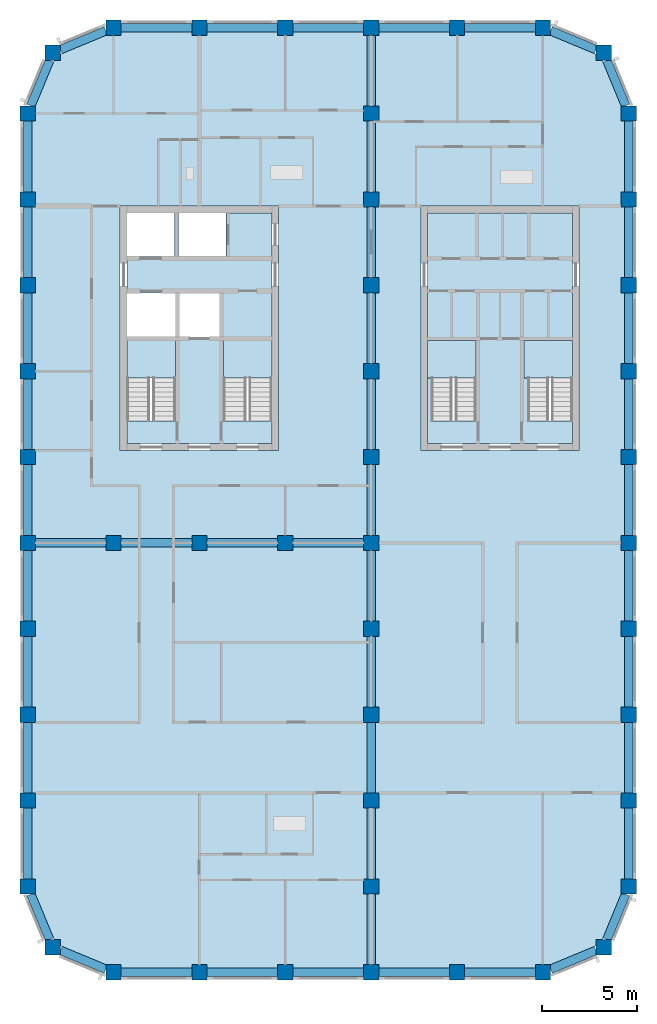
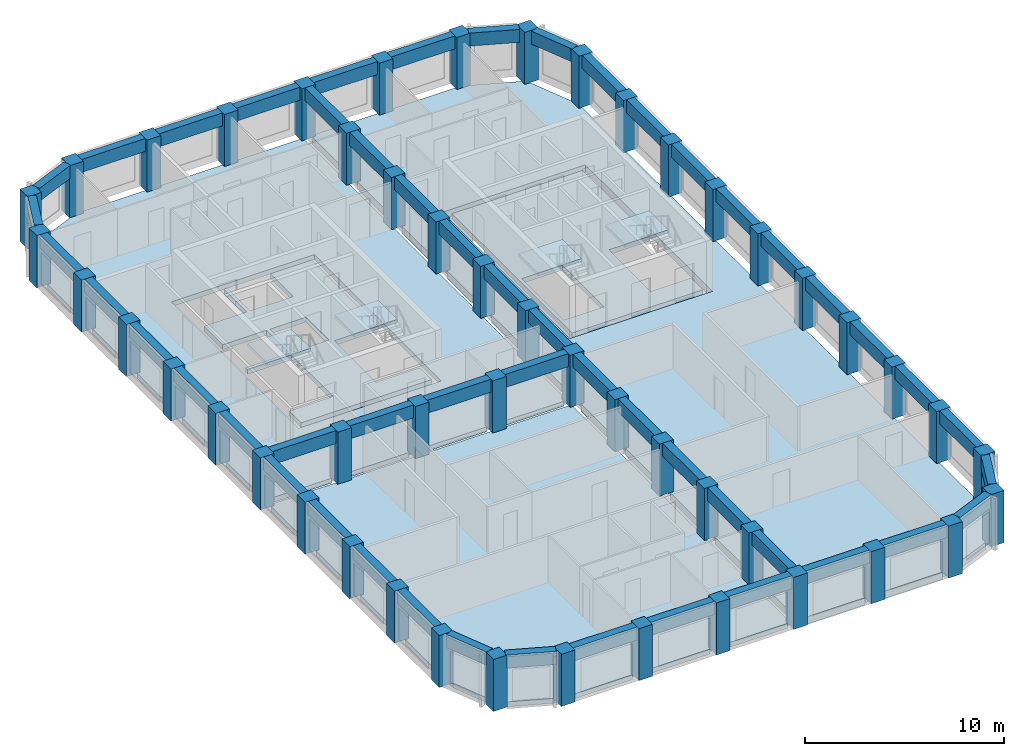
# One storey, part 1 of 10: 51 beams, 49 columns, 9 slabs, 4 elements without a shape of their own.
"""IFC4 building model written with IfcOpenShell, lengths in metres."""

from ifc_helpers import new_model, si_unit, direction, frame, origin, origin_2d, place, context, subcontext, project, spatial, polyline, rectangle, outline, extrude, material, layer, layer_set, material_profile, profile_set, type_object, element, aggregate, save


model = new_model("IFC4")

# Units and contexts
model_context = context("Model", 3, precision=1e-05, world=origin(), true_north=direction((0.0, 1.0)))
body_context = subcontext(model_context, "Body", "Model", "MODEL_VIEW")
ifc_project = project(units=[si_unit("LENGTHUNIT", "METRE"), si_unit("AREAUNIT", "SQUARE_METRE"), si_unit("VOLUMEUNIT", "CUBIC_METRE"), si_unit("PLANEANGLEUNIT", "RADIAN"), si_unit("MASSUNIT", "GRAM", prefix="KILO")], contexts=[model_context])

# Site, building, storey
site_placement = place(None, origin())
site = spatial("IfcSite", under=ifc_project, at=site_placement, CompositionType="ELEMENT")
building_placement = place(site_placement, origin())
building = spatial("IfcBuilding", under=site, at=building_placement, Name="Girih Gate Residences", CompositionType="ELEMENT")
storey_placement = place(building_placement, frame((0.0, 0.0, 210.094970703125)))
storey = spatial("IfcBuildingStorey", under=building, at=storey_placement, Name="L58", CompositionType="ELEMENT", Elevation=210.094970703125)

# Columns
ifc_material_1 = material(Name="Concrete C60/75", Category="concrete")
ifc_material_profile_1 = material_profile(ifc_material_1, rectangle(XDim=0.800048828125, YDim=0.800048828125, at=origin_2d()))
ifc_profile_set_1 = profile_set([ifc_material_profile_1], Name="Concrete C60/75")
column_type = type_object("IfcColumnType", Name="Pier RC 800x800 Concrete C60/75", PredefinedType="COLUMN", material=ifc_profile_set_1)
for number, where, z_axis, x_axis, name in (
    (1, (4.5, 0.0, 0.0), (0.0, 0.0, 1.0), (1.0, 0.0, 0.0), "Pier P2A L58"),
    (2, (9.0, 0.0, 0.0), (0.0, 0.0, 1.0), (1.0, 0.0, 0.0), "Pier P3A L58"),
    (3, (13.5, 0.0, 0.0), (0.0, 0.0, 1.0), (1.0, 0.0, 0.0), "Pier P4A L58"),
    (4, (18.0, 0.0, 0.0), (0.0, 0.0, 1.0), (1.0, 0.0, 0.0), "Pier P5A L58"),
    (5, (22.5, 0.0, 0.0), (0.0, 0.0, 1.0), (1.0, 0.0, 0.0), "Pier P6A L58"),
    (6, (27.0, 0.0, 0.0), (0.0, 0.0, 1.0), (1.0, 0.0, 0.0), "Pier P7A L58"),
    (7, (1.318115234375, 1.318115234375, 0.0), (0.0, 0.0, 1.0), (1.0, 0.0, 0.0), "Pier P1ANE L58"),
    (8, (30.181884765625, 1.318115234375, 0.0), (0.0, 0.0, 1.0), (1.0, 0.0, 0.0), "Pier P8ANW L58"),
    (9, (0.0, 4.5, 0.0), (0.0, 0.0, 1.0), (1.0, 0.0, 0.0), "Pier P1B L58"),
    (10, (18.0, 4.5, 0.0), (0.0, 0.0, 1.0), (1.0, 0.0, 0.0), "Pier P5B L58"),
    (11, (31.5, 4.5, 0.0), (0.0, 0.0, 1.0), (1.0, 0.0, 0.0), "Pier P8B L58"),
    (12, (0.0, 9.0, 0.0), (0.0, 0.0, 1.0), (1.0, 0.0, 0.0), "Pier P1C L58"),
    (13, (18.0, 9.0, 0.0), (0.0, 0.0, 1.0), (1.0, 0.0, 0.0), "Pier P5C L58"),
    (14, (31.5, 9.0, 0.0), (0.0, 0.0, 1.0), (1.0, 0.0, 0.0), "Pier P8C L58"),
    (15, (0.0, 13.5, 0.0), (0.0, 0.0, 1.0), (1.0, 0.0, 0.0), "Pier P1D L58"),
    (16, (18.0, 13.5, 0.0), (0.0, 0.0, 1.0), (1.0, 0.0, 0.0), "Pier P5D L58"),
    (17, (31.5, 13.5, 0.0), (0.0, 0.0, 1.0), (1.0, 0.0, 0.0), "Pier P8D L58"),
    (18, (0.0, 18.0, 0.0), (0.0, 0.0, 1.0), (1.0, 0.0, 0.0), "Pier P1E L58"),
    (19, (18.0, 18.0, 0.0), (0.0, 0.0, 1.0), (1.0, 0.0, 0.0), "Pier P5E L58"),
    (20, (31.5, 18.0, 0.0), (0.0, 0.0, 1.0), (1.0, 0.0, 0.0), "Pier P8E L58"),
    (21, (0.0, 22.5, 0.0), (0.0, 0.0, 1.0), (1.0, 0.0, 0.0), "Pier P1F L58"),
    (22, (4.5, 22.5, 0.0), (0.0, 0.0, 1.0), (1.0, 0.0, 0.0), "Pier P2F L58"),
    (23, (9.0, 22.5, 0.0), (0.0, 0.0, 1.0), (1.0, 0.0, 0.0), "Pier P3F L58"),
    (24, (13.5, 22.5, 0.0), (0.0, 0.0, 1.0), (1.0, 0.0, 0.0), "Pier P4F L58"),
    (25, (18.0, 22.5, 0.0), (0.0, 0.0, 1.0), (1.0, 0.0, 0.0), "Pier P5F L58"),
    (26, (31.5, 22.5, 0.0), (0.0, 0.0, 1.0), (1.0, 0.0, 0.0), "Pier P8F L58"),
    (27, (0.0, 27.0, 0.0), (0.0, 0.0, 1.0), (1.0, 0.0, 0.0), "Pier P1G L58"),
    (28, (18.0, 27.0, 0.0), (0.0, 0.0, 1.0), (1.0, 0.0, 0.0), "Pier P5G L58"),
    (29, (31.5, 27.0, 0.0), (0.0, 0.0, 1.0), (1.0, 0.0, 0.0), "Pier P8G L58"),
    (30, (0.0, 31.5, 0.0), (0.0, 0.0, 1.0), (1.0, 0.0, 0.0), "Pier P1H L58"),
    (31, (18.0, 31.5, 0.0), (0.0, 0.0, 1.0), (1.0, 0.0, 0.0), "Pier P5H L58"),
    (32, (31.5, 31.5, 0.0), (0.0, 0.0, 1.0), (1.0, 0.0, 0.0), "Pier P8H L58"),
    (33, (0.0, 36.0, 0.0), (0.0, 0.0, 1.0), (1.0, 0.0, 0.0), "Pier P1I L58"),
    (34, (18.0, 36.0, 0.0), (0.0, 0.0, 1.0), (1.0, 0.0, 0.0), "Pier P5I L58"),
    (35, (31.5, 36.0, 0.0), (0.0, 0.0, 1.0), (1.0, 0.0, 0.0), "Pier P8I L58"),
    (36, (0.0, 40.5, 0.0), (0.0, 0.0, 1.0), (1.0, 0.0, 0.0), "Pier P1J L58"),
    (37, (18.0, 40.5, 0.0), (0.0, 0.0, 1.0), (1.0, 0.0, 0.0), "Pier P5J L58"),
    (38, (31.5, 40.5, 0.0), (0.0, 0.0, 1.0), (1.0, 0.0, 0.0), "Pier P8J L58"),
    (39, (0.0, 45.0, 0.0), (0.0, 0.0, 1.0), (1.0, 0.0, 0.0), "Pier P1K L58"),
    (40, (18.0, 45.0, 0.0), (0.0, 0.0, 1.0), (1.0, 0.0, 0.0), "Pier P5K L58"),
    (41, (31.5, 45.0, 0.0), (0.0, 0.0, 1.0), (1.0, 0.0, 0.0), "Pier P8K L58"),
    (42, (1.318115234375, 48.181884765625, 0.0), (0.0, 0.0, 1.0), (1.0, 0.0, 0.0), "Pier P1LSE L58"),
    (43, (30.181884765625, 48.181884765625, 0.0), (0.0, 0.0, 1.0), (1.0, 0.0, 0.0), "Pier P8LSW L58"),
    (44, (4.5, 49.5, 0.0), (0.0, 0.0, 1.0), (1.0, 0.0, 0.0), "Pier P2L L58"),
    (45, (9.0, 49.5, 0.0), (0.0, 0.0, 1.0), (1.0, 0.0, 0.0), "Pier P3L L58"),
    (46, (13.5, 49.5, 0.0), (0.0, 0.0, 1.0), (1.0, 0.0, 0.0), "Pier P4L L58"),
    (47, (18.0, 49.5, 0.0), (0.0, 0.0, 1.0), (1.0, 0.0, 0.0), "Pier P5L L58"),
    (48, (22.5, 49.5, 0.0), (0.0, 0.0, 1.0), (1.0, 0.0, 0.0), "Pier P6L L58"),
    (49, (27.0, 49.5, 0.0), (0.0, 0.0, 1.0), (1.0, 0.0, 0.0), "Pier P7L L58"),
):
    element("IfcColumn", number, at=place(storey_placement, frame(where, z_axis=z_axis, x_axis=x_axis)), inside=storey, type_object=column_type, Name=name, PredefinedType="COLUMN", context=body_context, shape_type="SweptSolid", body=[
        extrude(rectangle(XDim=0.800048828125, YDim=0.800048828125, at=origin_2d()), origin(), (0.0, 0.0, 1.0), 3.199951171875),
    ])

# Beams
ifc_material_profile_2 = material_profile(ifc_material_1, rectangle(XDim=0.449951171875, YDim=0.800048828125, at=origin_2d()))
ifc_profile_set_2 = profile_set([ifc_material_profile_2], Name="Concrete C60/75")
beam_type = type_object("IfcBeamType", Name="Spandrel girder RC 450x800 Concrete C60/75", PredefinedType="BEAM", material=ifc_profile_set_2)
for number, where, z_axis, x_axis, name in (
    (50, (27.39990234375, 0.165771484375, 2.800048828125), (0.923895659062, 0.382644497107, 0.0), (-0.382644497107, 0.923895659062, 0.0), "Spandrel girder SP-P7A-P8ANW L58"),
    (51, (30.34765625, 1.718017578125, 2.800048828125), (0.382644497107, 0.923895659062, 0.0), (-0.923895659062, 0.382644497107, 0.0), "Spandrel girder SP-P8ANW-P8B L58"),
):
    element("IfcBeam", number, at=place(storey_placement, frame(where, z_axis=z_axis, x_axis=x_axis)), inside=storey, type_object=beam_type, Name=name, PredefinedType="BEAM", context=body_context, shape_type="SweptSolid", body=[
        extrude(rectangle(XDim=0.449951171875, YDim=0.800048828125, at=origin_2d()), origin(), (0.0, 0.0, 1.0), 2.578369140625),
    ])
for number, where, z_axis, x_axis, name in (
    (52, (31.5, 4.89990234375, 2.800048828125), (0.0, 1.0, 0.0), (-1.0, 0.0, 0.0), "Spandrel girder SP-P8B-P8C L58"),
    (53, (31.5, 9.39990234375, 2.800048828125), (0.0, 1.0, 0.0), (-1.0, 0.0, 0.0), "Spandrel girder SP-P8C-P8D L58"),
    (54, (31.5, 13.89990234375, 2.800048828125), (0.0, 1.0, 0.0), (-1.0, 0.0, 0.0), "Spandrel girder SP-P8D-P8E L58"),
    (55, (31.5, 18.39990234375, 2.800048828125), (0.0, 1.0, 0.0), (-1.0, 0.0, 0.0), "Spandrel girder SP-P8E-P8F L58"),
    (56, (31.5, 22.89990234375, 2.800048828125), (0.0, 1.0, 0.0), (-1.0, 0.0, 0.0), "Spandrel girder SP-P8F-P8G L58"),
    (57, (31.5, 27.39990234375, 2.800048828125), (0.0, 1.0, 0.0), (-1.0, 0.0, 0.0), "Spandrel girder SP-P8G-P8H L58"),
    (58, (31.5, 31.89990234375, 2.800048828125), (0.0, 1.0, 0.0), (-1.0, 0.0, 0.0), "Spandrel girder SP-P8H-P8I L58"),
    (59, (31.5, 36.39990234375, 2.800048828125), (0.0, 1.0, 0.0), (-1.0, 0.0, 0.0), "Spandrel girder SP-P8I-P8J L58"),
    (60, (31.5, 40.89990234375, 2.800048828125), (0.0, 1.0, 0.0), (-1.0, 0.0, 0.0), "Spandrel girder SP-P8J-P8K L58"),
):
    element("IfcBeam", number, at=place(storey_placement, frame(where, z_axis=z_axis, x_axis=x_axis)), inside=storey, type_object=beam_type, Name=name, PredefinedType="BEAM", context=body_context, shape_type="SweptSolid", body=[
        extrude(rectangle(XDim=0.449951171875, YDim=0.800048828125, at=origin_2d()), origin(), (0.0, 0.0, 1.0), 3.7001953125),
    ])
for number, where, z_axis, x_axis, name in (
    (61, (31.334228515625, 45.39990234375, 2.800048828125), (-0.382644497107, 0.923895659062, 0.0), (-0.923895659062, -0.382644497107, 0.0), "Spandrel girder SP-P8K-P8LSW L58"),
    (62, (29.781982421875, 48.34765625, 2.800048828125), (-0.923895659062, 0.382644497107, 0.0), (-0.382644497107, -0.923895659062, 0.0), "Spandrel girder SP-P8LSW-P7L L58"),
):
    element("IfcBeam", number, at=place(storey_placement, frame(where, z_axis=z_axis, x_axis=x_axis)), inside=storey, type_object=beam_type, Name=name, PredefinedType="BEAM", context=body_context, shape_type="SweptSolid", body=[
        extrude(rectangle(XDim=0.449951171875, YDim=0.800048828125, at=origin_2d()), origin(), (0.0, 0.0, 1.0), 2.578369140625),
    ])
for number, where, z_axis, x_axis, name in (
    (63, (26.60009765625, 49.5, 2.800048828125), (-1.0, 0.0, 0.0), (0.0, -1.0, 0.0), "Spandrel girder SP-P7L-P6L L58"),
    (64, (22.10009765625, 49.5, 2.800048828125), (-1.0, 0.0, 0.0), (0.0, -1.0, 0.0), "Spandrel girder SP-P6L-P5L L58"),
    (65, (17.60009765625, 49.5, 2.800048828125), (-1.0, 0.0, 0.0), (0.0, -1.0, 0.0), "Spandrel girder SP-P5L-P4L L58"),
    (66, (13.10009765625, 49.5, 2.800048828125), (-1.0, 0.0, 0.0), (0.0, -1.0, 0.0), "Spandrel girder SP-P4L-P3L L58"),
    (67, (8.60009765625, 49.5, 2.800048828125), (-1.0, 0.0, 0.0), (0.0, -1.0, 0.0), "Spandrel girder SP-P3L-P2L L58"),
):
    element("IfcBeam", number, at=place(storey_placement, frame(where, z_axis=z_axis, x_axis=x_axis)), inside=storey, type_object=beam_type, Name=name, PredefinedType="BEAM", context=body_context, shape_type="SweptSolid", body=[
        extrude(rectangle(XDim=0.449951171875, YDim=0.800048828125, at=origin_2d()), origin(), (0.0, 0.0, 1.0), 3.7001953125),
    ])
for number, where, z_axis, x_axis, name in (
    (68, (4.10009765625, 49.334228515625, 2.800048828125), (-0.923895659062, -0.382644497107, 0.0), (0.382644497107, -0.923895659062, 0.0), "Spandrel girder SP-P2L-P1LSE L58"),
    (69, (1.15234375, 47.781982421875, 2.800048828125), (-0.382644497107, -0.923895659062, 0.0), (0.923895659062, -0.382644497107, 0.0), "Spandrel girder SP-P1LSE-P1K L58"),
):
    element("IfcBeam", number, at=place(storey_placement, frame(where, z_axis=z_axis, x_axis=x_axis)), inside=storey, type_object=beam_type, Name=name, PredefinedType="BEAM", context=body_context, shape_type="SweptSolid", body=[
        extrude(rectangle(XDim=0.449951171875, YDim=0.800048828125, at=origin_2d()), origin(), (0.0, 0.0, 1.0), 2.578369140625),
    ])
for number, where, z_axis, x_axis, name in (
    (70, (0.0, 44.60009765625, 2.800048828125), (0.0, -1.0, 0.0), (1.0, 0.0, 0.0), "Spandrel girder SP-P1K-P1J L58"),
    (71, (0.0, 40.10009765625, 2.800048828125), (0.0, -1.0, 0.0), (1.0, 0.0, 0.0), "Spandrel girder SP-P1J-P1I L58"),
    (72, (0.0, 35.60009765625, 2.800048828125), (0.0, -1.0, 0.0), (1.0, 0.0, 0.0), "Spandrel girder SP-P1I-P1H L58"),
    (73, (0.0, 31.10009765625, 2.800048828125), (0.0, -1.0, 0.0), (1.0, 0.0, 0.0), "Spandrel girder SP-P1H-P1G L58"),
    (74, (0.0, 26.60009765625, 2.800048828125), (0.0, -1.0, 0.0), (1.0, 0.0, 0.0), "Spandrel girder SP-P1G-P1F L58"),
    (75, (0.0, 22.10009765625, 2.800048828125), (0.0, -1.0, 0.0), (1.0, 0.0, 0.0), "Spandrel girder SP-P1F-P1E L58"),
    (76, (0.0, 17.60009765625, 2.800048828125), (0.0, -1.0, 0.0), (1.0, 0.0, 0.0), "Spandrel girder SP-P1E-P1D L58"),
    (77, (0.0, 13.10009765625, 2.800048828125), (0.0, -1.0, 0.0), (1.0, 0.0, 0.0), "Spandrel girder SP-P1D-P1C L58"),
    (78, (0.0, 8.60009765625, 2.800048828125), (0.0, -1.0, 0.0), (1.0, 0.0, 0.0), "Spandrel girder SP-P1C-P1B L58"),
):
    element("IfcBeam", number, at=place(storey_placement, frame(where, z_axis=z_axis, x_axis=x_axis)), inside=storey, type_object=beam_type, Name=name, PredefinedType="BEAM", context=body_context, shape_type="SweptSolid", body=[
        extrude(rectangle(XDim=0.449951171875, YDim=0.800048828125, at=origin_2d()), origin(), (0.0, 0.0, 1.0), 3.7001953125),
    ])
for number, where, z_axis, x_axis, name in (
    (79, (0.165771484375, 4.10009765625, 2.800048828125), (0.382644497107, -0.923895659062, 0.0), (0.923895659062, 0.382644497107, 0.0), "Spandrel girder SP-P1B-P1ANE L58"),
    (80, (1.718017578125, 1.15234375, 2.800048828125), (0.923895659062, -0.382644497107, 0.0), (0.382644497107, 0.923895659062, 0.0), "Spandrel girder SP-P1ANE-P2A L58"),
):
    element("IfcBeam", number, at=place(storey_placement, frame(where, z_axis=z_axis, x_axis=x_axis)), inside=storey, type_object=beam_type, Name=name, PredefinedType="BEAM", context=body_context, shape_type="SweptSolid", body=[
        extrude(rectangle(XDim=0.449951171875, YDim=0.800048828125, at=origin_2d()), origin(), (0.0, 0.0, 1.0), 2.578369140625),
    ])
for number, where, z_axis, x_axis, name in (
    (81, (4.89990234375, 0.0, 2.800048828125), (1.0, 0.0, 0.0), (0.0, 1.0, 0.0), "Spandrel girder SP-P2A-P3A L58"),
    (82, (9.39990234375, 0.0, 2.800048828125), (1.0, 0.0, 0.0), (0.0, 1.0, 0.0), "Spandrel girder SP-P3A-P4A L58"),
    (83, (13.89990234375, 0.0, 2.800048828125), (1.0, 0.0, 0.0), (0.0, 1.0, 0.0), "Spandrel girder SP-P4A-P5A L58"),
    (84, (18.39990234375, 0.0, 2.800048828125), (1.0, 0.0, 0.0), (0.0, 1.0, 0.0), "Spandrel girder SP-P5A-P6A L58"),
    (85, (22.89990234375, 0.0, 2.800048828125), (1.0, 0.0, 0.0), (0.0, 1.0, 0.0), "Spandrel girder SP-P6A-P7A L58"),
    (86, (18.0, 0.39990234375, 2.800048828125), (0.0, 1.0, 0.0), (-1.0, 0.0, 0.0), "Spandrel girder SP-P5A-P5B L58"),
    (87, (18.0, 4.89990234375, 2.800048828125), (0.0, 1.0, 0.0), (-1.0, 0.0, 0.0), "Spandrel girder SP-P5B-P5C L58"),
    (88, (18.0, 9.39990234375, 2.800048828125), (0.0, 1.0, 0.0), (-1.0, 0.0, 0.0), "Spandrel girder SP-P5C-P5D L58"),
    (89, (18.0, 13.89990234375, 2.800048828125), (0.0, 1.0, 0.0), (-1.0, 0.0, 0.0), "Spandrel girder SP-P5D-P5E L58"),
    (90, (18.0, 18.39990234375, 2.800048828125), (0.0, 1.0, 0.0), (-1.0, 0.0, 0.0), "Spandrel girder SP-P5E-P5F L58"),
    (91, (18.0, 22.89990234375, 2.800048828125), (0.0, 1.0, 0.0), (-1.0, 0.0, 0.0), "Spandrel girder SP-P5F-P5G L58"),
    (92, (18.0, 27.39990234375, 2.800048828125), (0.0, 1.0, 0.0), (-1.0, 0.0, 0.0), "Spandrel girder SP-P5G-P5H L58"),
    (93, (18.0, 31.89990234375, 2.800048828125), (0.0, 1.0, 0.0), (-1.0, 0.0, 0.0), "Spandrel girder SP-P5H-P5I L58"),
    (94, (18.0, 36.39990234375, 2.800048828125), (0.0, 1.0, 0.0), (-1.0, 0.0, 0.0), "Spandrel girder SP-P5I-P5J L58"),
    (95, (18.0, 40.89990234375, 2.800048828125), (0.0, 1.0, 0.0), (-1.0, 0.0, 0.0), "Spandrel girder SP-P5J-P5K L58"),
    (96, (18.0, 45.39990234375, 2.800048828125), (0.0, 1.0, 0.0), (-1.0, 0.0, 0.0), "Spandrel girder SP-P5K-P5L L58"),
    (97, (0.39990234375, 22.5, 2.800048828125), (1.0, 0.0, 0.0), (0.0, 1.0, 0.0), "Spandrel girder SP-P1F-P2F L58"),
    (98, (4.89990234375, 22.5, 2.800048828125), (1.0, 0.0, 0.0), (0.0, 1.0, 0.0), "Spandrel girder SP-P2F-P3F L58"),
    (99, (9.39990234375, 22.5, 2.800048828125), (1.0, 0.0, 0.0), (0.0, 1.0, 0.0), "Spandrel girder SP-P3F-P4F L58"),
    (100, (13.89990234375, 22.5, 2.800048828125), (1.0, 0.0, 0.0), (0.0, 1.0, 0.0), "Spandrel girder SP-P4F-P5F L58"),
):
    element("IfcBeam", number, at=place(storey_placement, frame(where, z_axis=z_axis, x_axis=x_axis)), inside=storey, type_object=beam_type, Name=name, PredefinedType="BEAM", context=body_context, shape_type="SweptSolid", body=[
        extrude(rectangle(XDim=0.449951171875, YDim=0.800048828125, at=origin_2d()), origin(), (0.0, 0.0, 1.0), 3.7001953125),
    ])

# Slabs
ifc_material_2 = material(Name="Concrete C40/50", Category="concrete")
ifc_layer_1 = layer(ifc_material_2, 0.300048828125)
ifc_layer_set_1 = layer_set([ifc_layer_1], Name="Core floor slab 300")
slab_type_1 = type_object("IfcSlabType", Name="Core floor slab 300", PredefinedType="FLOOR", material=ifc_layer_set_1)
slab_1_placement = place(storey_placement, frame((0.0, 0.0, -0.300048828125)))
element("IfcSlab", 101, at=slab_1_placement, inside=storey, type_object=slab_type_1, Name="L58 W core floor", PredefinedType="FLOOR", context=body_context, shape_type="SweptSolid", body=[
    extrude(outline(polyline([(12.800048828125, 27.699951171875), (5.199951171875, 27.699951171875), (5.199951171875, 28.900634765625), (7.75, 28.900634765625), (7.75, 33.10009765625), (5.199951171875, 33.10009765625), (5.199951171875, 33.300048828125), (7.75, 33.300048828125), (7.75, 35.60009765625), (5.199951171875, 35.60009765625), (5.199951171875, 37.5), (7.699951171875, 37.5), (7.699951171875, 39.800048828125), (7.89990234375, 39.800048828125), (7.89990234375, 37.5), (10.39990234375, 37.5), (10.39990234375, 39.800048828125), (12.800048828125, 39.800048828125), (12.800048828125, 33.10009765625), (10.25, 33.10009765625), (10.25, 28.900634765625), (12.800048828125, 28.900634765625), (12.800048828125, 27.699951171875)]), holes=[polyline([(7.949951171875, 33.300048828125), (10.050048828125, 33.300048828125), (10.050048828125, 35.60009765625), (7.949951171875, 35.60009765625), (7.949951171875, 33.300048828125)])]), origin(), (0.0, 0.0, 1.0), 0.300048828125),
])
slab_2_placement = place(storey_placement, frame((0.0, 0.0, -0.300048828125)))
element("IfcSlab", 102, at=slab_2_placement, inside=storey, type_object=slab_type_1, Name="L58 C core floor", PredefinedType="FLOOR", context=body_context, shape_type="SweptSolid", body=[
    extrude(outline(polyline([(28.550048828125, 27.699951171875), (20.949951171875, 27.699951171875), (20.949951171875, 39.800048828125), (28.550048828125, 39.800048828125), (28.550048828125, 33.10009765625), (26.199951171875, 33.10009765625), (26.199951171875, 28.900634765625), (28.550048828125, 28.900634765625), (28.550048828125, 27.699951171875)]), holes=[polyline([(23.5, 28.900634765625), (23.5, 33.10009765625), (21.14990234375, 33.10009765625), (21.14990234375, 28.900634765625), (23.5, 28.900634765625)])]), origin(), (0.0, 0.0, 1.0), 0.300048828125),
])
ifc_layer_2 = layer(ifc_material_2, 0.300048828125)
ifc_layer_set_2 = layer_set([ifc_layer_2], Name="Floor slab PT 300 Concrete C40/50")
slab_type_2 = type_object("IfcSlabType", Name="Floor slab PT 300 Concrete C40/50", PredefinedType="FLOOR", material=ifc_layer_set_2)
slab_3_placement = place(storey_placement, frame((0.0, 0.0, -0.300048828125)))
element("IfcSlab", 103, at=slab_3_placement, inside=storey, type_object=slab_type_2, Name="Floor slab L58 0", PredefinedType="FLOOR", context=body_context, shape_type="SweptSolid", body=[
    extrude(outline(polyline([(13.89990234375, 0.22509765625), (17.60009765625, 0.22509765625), (17.60009765625, 0.39990234375), (17.77490234375, 0.39990234375), (17.77490234375, 4.10009765625), (17.60009765625, 4.10009765625), (17.60009765625, 4.89990234375), (17.77490234375, 4.89990234375), (17.77490234375, 8.60009765625), (17.60009765625, 8.60009765625), (17.60009765625, 9.39990234375), (17.77490234375, 9.39990234375), (17.77490234375, 13.10009765625), (17.60009765625, 13.10009765625), (17.60009765625, 13.89990234375), (17.77490234375, 13.89990234375), (17.77490234375, 17.60009765625), (17.60009765625, 17.60009765625), (17.60009765625, 18.39990234375), (17.77490234375, 18.39990234375), (17.77490234375, 22.10009765625), (17.60009765625, 22.10009765625), (17.60009765625, 22.27490234375), (13.89990234375, 22.27490234375), (13.89990234375, 22.10009765625), (13.10009765625, 22.10009765625), (13.10009765625, 22.27490234375), (9.39990234375, 22.27490234375), (9.39990234375, 22.10009765625), (8.60009765625, 22.10009765625), (8.60009765625, 22.27490234375), (4.89990234375, 22.27490234375), (4.89990234375, 22.10009765625), (4.10009765625, 22.10009765625), (4.10009765625, 22.27490234375), (0.39990234375, 22.27490234375), (0.39990234375, 22.10009765625), (0.22509765625, 22.10009765625), (0.22509765625, 18.39990234375), (0.39990234375, 18.39990234375), (0.39990234375, 17.60009765625), (0.22509765625, 17.60009765625), (0.22509765625, 13.89990234375), (0.39990234375, 13.89990234375), (0.39990234375, 13.10009765625), (0.22509765625, 13.10009765625), (0.22509765625, 9.39990234375), (0.39990234375, 9.39990234375), (0.39990234375, 8.60009765625), (0.22509765625, 8.60009765625), (0.22509765625, 4.89990234375), (0.39990234375, 4.89990234375), (0.39990234375, 4.122314453125), (1.395751953125, 1.718017578125), (1.718017578125, 1.718017578125), (1.718017578125, 1.395751953125), (4.122314453125, 0.39990234375), (4.89990234375, 0.39990234375), (4.89990234375, 0.22509765625), (8.60009765625, 0.22509765625), (8.60009765625, 0.39990234375), (9.39990234375, 0.39990234375), (9.39990234375, 0.22509765625), (13.10009765625, 0.22509765625), (13.10009765625, 0.39990234375), (13.89990234375, 0.39990234375), (13.89990234375, 0.22509765625)])), origin(), (0.0, 0.0, 1.0), 0.300048828125),
])
slab_4_placement = place(storey_placement, frame((0.0, 0.0, -0.300048828125)))
element("IfcSlab", 104, at=slab_4_placement, inside=storey, type_object=slab_type_2, Name="Floor slab L58 2", PredefinedType="FLOOR", context=body_context, shape_type="SweptSolid", body=[
    extrude(outline(polyline([(0.22509765625, 26.60009765625), (0.22509765625, 22.89990234375), (0.39990234375, 22.89990234375), (0.39990234375, 22.72509765625), (4.10009765625, 22.72509765625), (4.10009765625, 22.89990234375), (4.89990234375, 22.89990234375), (4.89990234375, 22.72509765625), (8.60009765625, 22.72509765625), (8.60009765625, 22.89990234375), (9.39990234375, 22.89990234375), (9.39990234375, 22.72509765625), (13.10009765625, 22.72509765625), (13.10009765625, 22.89990234375), (13.89990234375, 22.89990234375), (13.89990234375, 22.72509765625), (17.60009765625, 22.72509765625), (17.60009765625, 22.89990234375), (17.77490234375, 22.89990234375), (17.77490234375, 26.60009765625), (17.60009765625, 26.60009765625), (17.60009765625, 27.39990234375), (17.77490234375, 27.39990234375), (17.77490234375, 31.10009765625), (17.60009765625, 31.10009765625), (17.60009765625, 31.89990234375), (17.77490234375, 31.89990234375), (17.77490234375, 35.60009765625), (17.60009765625, 35.60009765625), (17.60009765625, 36.39990234375), (17.77490234375, 36.39990234375), (17.77490234375, 40.10009765625), (17.60009765625, 40.10009765625), (17.60009765625, 40.89990234375), (17.77490234375, 40.89990234375), (17.77490234375, 44.60009765625), (17.60009765625, 44.60009765625), (17.60009765625, 45.39990234375), (17.77490234375, 45.39990234375), (17.77490234375, 49.10009765625), (17.60009765625, 49.10009765625), (17.60009765625, 49.27490234375), (13.89990234375, 49.27490234375), (13.89990234375, 49.10009765625), (13.10009765625, 49.10009765625), (13.10009765625, 49.27490234375), (9.39990234375, 49.27490234375), (9.39990234375, 49.10009765625), (8.60009765625, 49.10009765625), (8.60009765625, 49.27490234375), (4.89990234375, 49.27490234375), (4.89990234375, 49.10009765625), (4.122314453125, 49.10009765625), (1.718017578125, 48.104248046875), (1.718017578125, 47.781982421875), (1.395751953125, 47.781982421875), (0.39990234375, 45.377685546875), (0.39990234375, 44.60009765625), (0.22509765625, 44.60009765625), (0.22509765625, 40.89990234375), (0.39990234375, 40.89990234375), (0.39990234375, 40.10009765625), (0.22509765625, 40.10009765625), (0.22509765625, 36.39990234375), (0.39990234375, 36.39990234375), (0.39990234375, 35.60009765625), (0.22509765625, 35.60009765625), (0.22509765625, 31.89990234375), (0.39990234375, 31.89990234375), (0.39990234375, 31.10009765625), (0.22509765625, 31.10009765625), (0.22509765625, 27.39990234375), (0.39990234375, 27.39990234375), (0.39990234375, 26.60009765625), (0.22509765625, 26.60009765625)]), holes=[polyline([(13.14990234375, 40.14990234375), (13.14990234375, 27.35009765625), (4.85009765625, 27.35009765625), (4.85009765625, 40.14990234375), (13.14990234375, 40.14990234375)])]), origin(), (0.0, 0.0, 1.0), 0.300048828125),
])
ifc_layer_3 = layer(ifc_material_2, 0.449951171875)
ifc_layer_set_3 = layer_set([ifc_layer_3], Name="Floor slab PT 450 Concrete C40/50")
slab_type_3 = type_object("IfcSlabType", Name="Floor slab PT 450 Concrete C40/50", PredefinedType="FLOOR", material=ifc_layer_set_3)
slab_5_placement = place(storey_placement, frame((0.0, 0.0, -0.449951171875)))
element("IfcSlab", 105, at=slab_5_placement, inside=storey, type_object=slab_type_3, Name="Floor slab L58 1", PredefinedType="FLOOR", context=body_context, shape_type="SweptSolid", body=[
    extrude(outline(polyline([(22.89990234375, 0.22509765625), (26.60009765625, 0.22509765625), (26.60009765625, 0.39990234375), (27.377685546875, 0.39990234375), (29.781982421875, 1.395751953125), (29.781982421875, 1.718017578125), (30.104248046875, 1.718017578125), (31.10009765625, 4.122314453125), (31.10009765625, 4.89990234375), (31.27490234375, 4.89990234375), (31.27490234375, 8.60009765625), (31.10009765625, 8.60009765625), (31.10009765625, 9.39990234375), (31.27490234375, 9.39990234375), (31.27490234375, 13.10009765625), (31.10009765625, 13.10009765625), (31.10009765625, 13.89990234375), (31.27490234375, 13.89990234375), (31.27490234375, 17.60009765625), (31.10009765625, 17.60009765625), (31.10009765625, 18.39990234375), (31.27490234375, 18.39990234375), (31.27490234375, 22.10009765625), (31.10009765625, 22.10009765625), (31.10009765625, 22.89990234375), (31.27490234375, 22.89990234375), (31.27490234375, 26.60009765625), (31.10009765625, 26.60009765625), (31.10009765625, 27.39990234375), (31.27490234375, 27.39990234375), (31.27490234375, 31.10009765625), (31.10009765625, 31.10009765625), (31.10009765625, 31.89990234375), (31.27490234375, 31.89990234375), (31.27490234375, 35.60009765625), (31.10009765625, 35.60009765625), (31.10009765625, 36.39990234375), (31.27490234375, 36.39990234375), (31.27490234375, 40.10009765625), (31.10009765625, 40.10009765625), (31.10009765625, 40.89990234375), (31.27490234375, 40.89990234375), (31.27490234375, 44.60009765625), (31.10009765625, 44.60009765625), (31.10009765625, 45.377685546875), (30.104248046875, 47.781982421875), (29.781982421875, 47.781982421875), (29.781982421875, 48.104248046875), (27.377685546875, 49.10009765625), (26.60009765625, 49.10009765625), (26.60009765625, 49.27490234375), (22.89990234375, 49.27490234375), (22.89990234375, 49.10009765625), (22.10009765625, 49.10009765625), (22.10009765625, 49.27490234375), (18.39990234375, 49.27490234375), (18.39990234375, 49.10009765625), (18.22509765625, 49.10009765625), (18.22509765625, 45.39990234375), (18.39990234375, 45.39990234375), (18.39990234375, 44.60009765625), (18.22509765625, 44.60009765625), (18.22509765625, 40.89990234375), (18.39990234375, 40.89990234375), (18.39990234375, 40.10009765625), (18.22509765625, 40.10009765625), (18.22509765625, 36.39990234375), (18.39990234375, 36.39990234375), (18.39990234375, 35.60009765625), (18.22509765625, 35.60009765625), (18.22509765625, 31.89990234375), (18.39990234375, 31.89990234375), (18.39990234375, 31.10009765625), (18.22509765625, 31.10009765625), (18.22509765625, 27.39990234375), (18.39990234375, 27.39990234375), (18.39990234375, 26.60009765625), (18.22509765625, 26.60009765625), (18.22509765625, 22.89990234375), (18.39990234375, 22.89990234375), (18.39990234375, 22.10009765625), (18.22509765625, 22.10009765625), (18.22509765625, 18.39990234375), (18.39990234375, 18.39990234375), (18.39990234375, 17.60009765625), (18.22509765625, 17.60009765625), (18.22509765625, 13.89990234375), (18.39990234375, 13.89990234375), (18.39990234375, 13.10009765625), (18.22509765625, 13.10009765625), (18.22509765625, 9.39990234375), (18.39990234375, 9.39990234375), (18.39990234375, 8.60009765625), (18.22509765625, 8.60009765625), (18.22509765625, 4.89990234375), (18.39990234375, 4.89990234375), (18.39990234375, 4.10009765625), (18.22509765625, 4.10009765625), (18.22509765625, 0.39990234375), (18.39990234375, 0.39990234375), (18.39990234375, 0.22509765625), (22.10009765625, 0.22509765625), (22.10009765625, 0.39990234375), (22.89990234375, 0.39990234375), (22.89990234375, 0.22509765625)]), holes=[polyline([(28.89990234375, 40.14990234375), (28.89990234375, 27.35009765625), (20.60009765625, 27.35009765625), (20.60009765625, 40.14990234375), (28.89990234375, 40.14990234375)])]), origin(), (0.0, 0.0, 1.0), 0.449951171875),
])

# Stair, slab
stair_type_1 = type_object("IfcStairType", Name="Exit stair", PredefinedType="HALF_TURN_STAIR", material=ifc_material_2)
stair_1_placement = place(storey_placement, origin())
stair_1 = element("IfcStair", 106, at=stair_1_placement, inside=storey, type_object=stair_type_1, Name="L58 Exit Stair ST-W1", PredefinedType="HALF_TURN_STAIR")
ifc_layer_4 = layer(ifc_material_2, 0.199951171875)
ifc_layer_set_4 = layer_set([ifc_layer_4], Name="Stair landing 200")
slab_type_4 = type_object("IfcSlabType", Name="Stair landing 200", PredefinedType="LANDING", material=ifc_layer_set_4)
slab_6_placement = place(storey_placement, frame((0.0, 0.0, 1.400146484375)))
slab_6 = element("IfcSlab", 107, at=slab_6_placement, type_object=slab_type_4, Name="ST-W1 landing 1", PredefinedType="LANDING", context=body_context, shape_type="SweptSolid", body=[
    extrude(outline(polyline([(7.75, 31.14990234375), (7.75, 33.10009765625), (5.199951171875, 33.10009765625), (5.199951171875, 31.14990234375), (7.75, 31.14990234375)])), origin(), (0.0, 0.0, 1.0), 0.199951171875),
])
aggregate(stair_1, [slab_6])

stair_2_placement = place(storey_placement, origin())
stair_2 = element("IfcStair", 108, at=stair_2_placement, inside=storey, type_object=stair_type_1, Name="L58 Exit Stair ST-W2", PredefinedType="HALF_TURN_STAIR")
slab_7_placement = place(storey_placement, frame((0.0, 0.0, 1.400146484375)))
slab_7 = element("IfcSlab", 109, at=slab_7_placement, type_object=slab_type_4, Name="ST-W2 landing 1", PredefinedType="LANDING", context=body_context, shape_type="SweptSolid", body=[
    extrude(outline(polyline([(12.800048828125, 31.14990234375), (12.800048828125, 33.10009765625), (10.25, 33.10009765625), (10.25, 31.14990234375), (12.800048828125, 31.14990234375)])), origin(), (0.0, 0.0, 1.0), 0.199951171875),
])
aggregate(stair_2, [slab_7])

stair_type_2 = type_object("IfcStairType", Name="Exit stair C core", PredefinedType="HALF_TURN_STAIR", material=ifc_material_2)
stair_3_placement = place(storey_placement, origin())
stair_3 = element("IfcStair", 110, at=stair_3_placement, inside=storey, type_object=stair_type_2, Name="L58 Exit Stair ST-C1", PredefinedType="HALF_TURN_STAIR")
slab_8_placement = place(storey_placement, frame((0.0, 0.0, 1.400146484375)))
slab_8 = element("IfcSlab", 111, at=slab_8_placement, type_object=slab_type_4, Name="ST-C1 landing 1", PredefinedType="LANDING", context=body_context, shape_type="SweptSolid", body=[
    extrude(outline(polyline([(23.5, 31.14990234375), (23.5, 33.10009765625), (20.949951171875, 33.10009765625), (20.949951171875, 31.14990234375), (23.5, 31.14990234375)])), origin(), (0.0, 0.0, 1.0), 0.199951171875),
])
aggregate(stair_3, [slab_8])

stair_4_placement = place(storey_placement, origin())
stair_4 = element("IfcStair", 112, at=stair_4_placement, inside=storey, type_object=stair_type_2, Name="L58 Exit Stair ST-C2", PredefinedType="HALF_TURN_STAIR")
slab_9_placement = place(storey_placement, frame((0.0, 0.0, 1.400146484375)))
slab_9 = element("IfcSlab", 113, at=slab_9_placement, type_object=slab_type_4, Name="ST-C2 landing 1", PredefinedType="LANDING", context=body_context, shape_type="SweptSolid", body=[
    extrude(outline(polyline([(28.550048828125, 31.14990234375), (28.550048828125, 33.10009765625), (26.0, 33.10009765625), (26.0, 31.14990234375), (28.550048828125, 31.14990234375)])), origin(), (0.0, 0.0, 1.0), 0.199951171875),
])
aggregate(stair_4, [slab_9])

save(model, "model.ifc")
